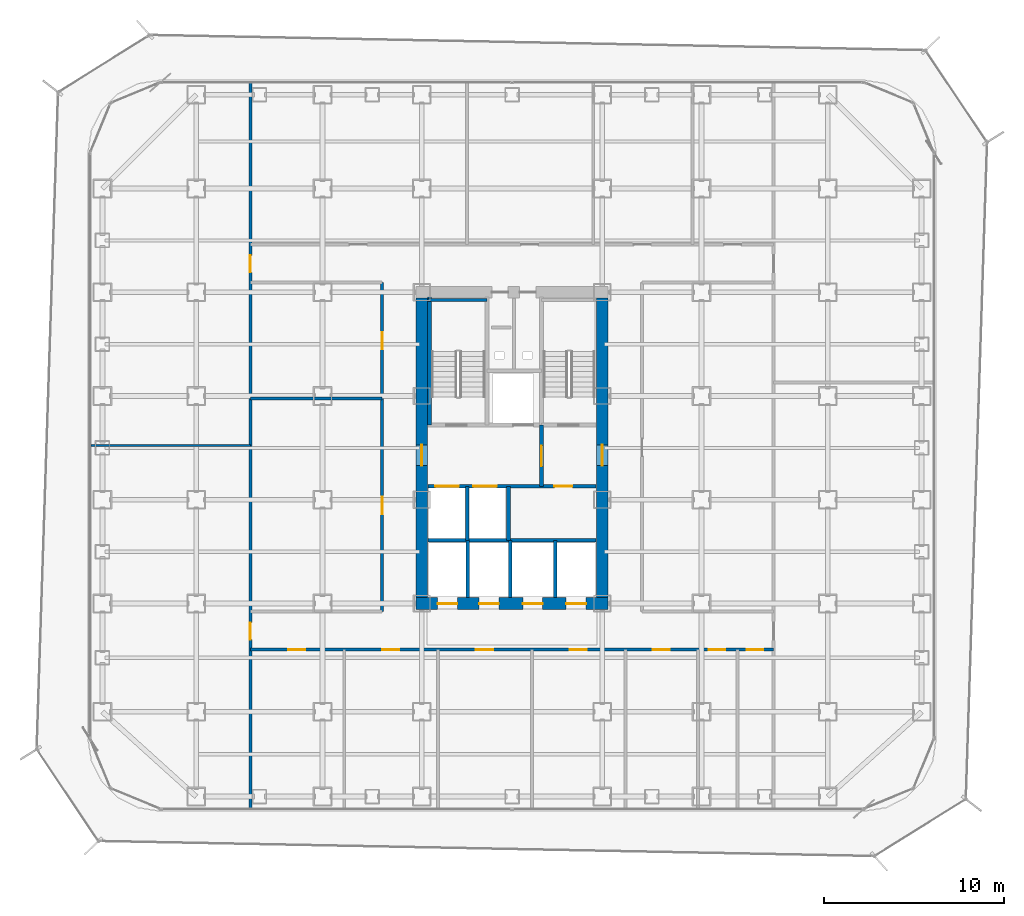
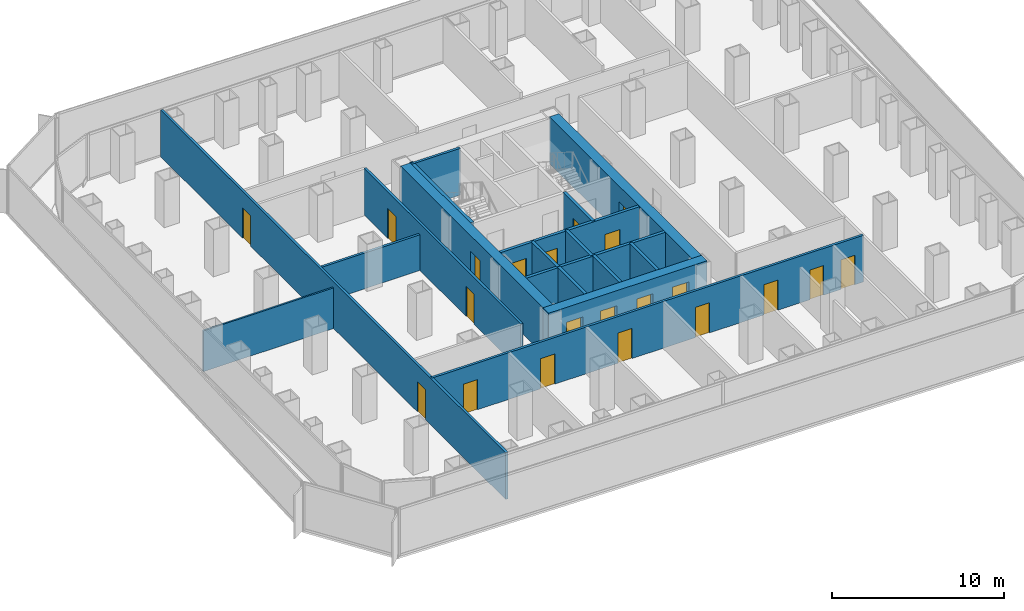
# One storey, part 17 of 22: 21 doors, 18 walls, 21 openings.
"""IFC4 building model written with IfcOpenShell, lengths in metres."""

from ifc_helpers import new_model, si_unit, direction, frame, frame_2d, origin, place, context, subcontext, project, spatial, rectangle, extrude, material, layer, layer_set, type_object, element, fill, save


model = new_model("IFC4")

# Units and contexts
model_context = context("Model", 3, precision=1e-05, world=origin(), true_north=direction((0.0, 1.0)))
body_context = subcontext(model_context, "Body", "Model", "MODEL_VIEW")
ifc_project = project(units=[si_unit("LENGTHUNIT", "METRE"), si_unit("AREAUNIT", "SQUARE_METRE"), si_unit("VOLUMEUNIT", "CUBIC_METRE"), si_unit("PLANEANGLEUNIT", "RADIAN"), si_unit("MASSUNIT", "GRAM", prefix="KILO")], contexts=[model_context])

# Site, building, storey
site_placement = place(None, origin())
site = spatial("IfcSite", under=ifc_project, at=site_placement, CompositionType="ELEMENT")
building_placement = place(site_placement, origin())
building = spatial("IfcBuilding", under=site, at=building_placement, Name="Kolveth Station Tower", CompositionType="ELEMENT")
storey_placement = place(building_placement, frame((0.0, 0.0, 51.300048828125)))
storey = spatial("IfcBuildingStorey", under=building, at=storey_placement, Name="L13", CompositionType="ELEMENT", Elevation=51.300048828125)

# Wall, openings, doors
ifc_material_1 = material(Name="Concrete C60/75", Category="concrete")
ifc_layer_1 = layer(ifc_material_1, 0.64990234375)
ifc_layer_set_1 = layer_set([ifc_layer_1], Name="Concrete C60/75")
wall_type_1 = type_object("IfcWallType", Name="Wall_CW-650", PredefinedType="SHEAR", material=ifc_layer_set_1)
wall_1_placement = place(storey_placement, frame((18.175048828125, 11.5, 0.0), z_axis=(0.0, 0.0, 1.0), x_axis=(1.0, 0.0, 0.0)))
wall_1 = element("IfcWall", 1, at=wall_1_placement, inside=storey, type_object=wall_type_1, Name="L13 Core RC Shear Wall S", PredefinedType="SHEAR", context=body_context, shape_type="SweptSolid", body=[
    extrude(rectangle(XDim=10.64990234375, YDim=0.64990234375, at=frame_2d((5.324951171875, 0.0))), origin(), (0.0, 0.0, 1.0), 3.320068359375),
])
opening_1_placement = place(wall_1_placement, frame((1.195068359375, 0.0, 0.0)))
opening_1 = element("IfcOpeningElement", 2, at=opening_1_placement, cuts=wall_1, Name="Opening LD1", PredefinedType="OPENING", context=body_context, shape_type="SweptSolid", body=[
    extrude(rectangle(XDim=1.10009765625, YDim=2.25, at=frame_2d((0.550048828125, 1.125))), frame((0.0, 0.3349609375, 0.0), z_axis=(0.0, -1.0, 0.0), x_axis=(1.0, 0.0, 0.0)), (0.0, 0.0, 1.0), 0.669921875),
])
opening_2_placement = place(wall_1_placement, frame((3.4951171875, 0.0, 0.0)))
opening_2 = element("IfcOpeningElement", 3, at=opening_2_placement, cuts=wall_1, Name="Opening LD1", PredefinedType="OPENING", context=body_context, shape_type="SweptSolid", body=[
    extrude(rectangle(XDim=1.10009765625, YDim=2.25, at=frame_2d((0.550048828125, 1.125))), frame((0.0, 0.3349609375, 0.0), z_axis=(0.0, -1.0, 0.0), x_axis=(1.0, 0.0, 0.0)), (0.0, 0.0, 1.0), 0.669921875),
])
opening_3_placement = place(wall_1_placement, frame((5.925048828125, 0.0, 0.0)))
opening_3 = element("IfcOpeningElement", 4, at=opening_3_placement, cuts=wall_1, Name="Opening LD1", PredefinedType="OPENING", context=body_context, shape_type="SweptSolid", body=[
    extrude(rectangle(XDim=1.10009765625, YDim=2.25, at=frame_2d((0.550048828125, 1.125))), frame((0.0, 0.3349609375, 0.0), z_axis=(0.0, -1.0, 0.0), x_axis=(1.0, 0.0, 0.0)), (0.0, 0.0, 1.0), 0.669921875),
])
opening_4_placement = place(wall_1_placement, frame((8.324951171875, 0.0, 0.0)))
opening_4 = element("IfcOpeningElement", 5, at=opening_4_placement, cuts=wall_1, Name="Opening LD1", PredefinedType="OPENING", context=body_context, shape_type="SweptSolid", body=[
    extrude(rectangle(XDim=1.10009765625, YDim=2.25, at=frame_2d((0.550048828125, 1.125))), frame((0.0, 0.3349609375, 0.0), z_axis=(0.0, -1.0, 0.0), x_axis=(1.0, 0.0, 0.0)), (0.0, 0.0, 1.0), 0.669921875),
])
ifc_material_2 = material(Name="Brushed stainless steel sliding landing doors", Category="steel")
door_type_1 = type_object("IfcDoorType", Name="Door_LD1", OperationType="NOTDEFINED", PredefinedType="DOOR", material=ifc_material_2)
door_1_placement = place(opening_1_placement, frame((1.10009765625, 0.0, 0.0), z_axis=(0.0, 0.0, 1.0), x_axis=(-1.0, 0.0, 0.0)))
door_1 = element("IfcDoor", 6, at=door_1_placement, inside=storey, type_object=door_type_1, Name="L13 Lift PL1 Landing Door", OperationType="DOUBLE_DOOR_SLIDING", OverallHeight=2.25, OverallWidth=1.10009765625, PredefinedType="DOOR", context=body_context, shape_type="SweptSolid", body=[
    extrude(rectangle(XDim=1.10009765625, YDim=2.25, at=frame_2d((0.550048828125, 1.125))), frame((0.0, 0.02490234375, 0.0), z_axis=(0.0, -1.0, 0.0), x_axis=(1.0, 0.0, 0.0)), (0.0, 0.0, 1.0), 0.050048828125),
])
fill(opening_1, door_1)
door_2_placement = place(opening_2_placement, frame((1.10009765625, 0.0, 0.0), z_axis=(0.0, 0.0, 1.0), x_axis=(-1.0, 0.0, 0.0)))
door_2 = element("IfcDoor", 7, at=door_2_placement, inside=storey, type_object=door_type_1, Name="L13 Lift PL2 Landing Door", OperationType="DOUBLE_DOOR_SLIDING", OverallHeight=2.25, OverallWidth=1.10009765625, PredefinedType="DOOR", context=body_context, shape_type="SweptSolid", body=[
    extrude(rectangle(XDim=1.10009765625, YDim=2.25, at=frame_2d((0.550048828125, 1.125))), frame((0.0, 0.02490234375, 0.0), z_axis=(0.0, -1.0, 0.0), x_axis=(1.0, 0.0, 0.0)), (0.0, 0.0, 1.0), 0.050048828125),
])
fill(opening_2, door_2)
door_3_placement = place(opening_3_placement, frame((1.10009765625, 0.0, 0.0), z_axis=(0.0, 0.0, 1.0), x_axis=(-1.0, 0.0, 0.0)))
door_3 = element("IfcDoor", 8, at=door_3_placement, inside=storey, type_object=door_type_1, Name="L13 Lift PM1 Landing Door", OperationType="DOUBLE_DOOR_SLIDING", OverallHeight=2.25, OverallWidth=1.10009765625, PredefinedType="DOOR", context=body_context, shape_type="SweptSolid", body=[
    extrude(rectangle(XDim=1.10009765625, YDim=2.25, at=frame_2d((0.550048828125, 1.125))), frame((0.0, 0.02490234375, 0.0), z_axis=(0.0, -1.0, 0.0), x_axis=(1.0, 0.0, 0.0)), (0.0, 0.0, 1.0), 0.050048828125),
])
fill(opening_3, door_3)
door_4_placement = place(opening_4_placement, frame((1.10009765625, 0.0, 0.0), z_axis=(0.0, 0.0, 1.0), x_axis=(-1.0, 0.0, 0.0)))
door_4 = element("IfcDoor", 9, at=door_4_placement, inside=storey, type_object=door_type_1, Name="L13 Lift PH1 Landing Door", OperationType="DOUBLE_DOOR_SLIDING", OverallHeight=2.25, OverallWidth=1.10009765625, PredefinedType="DOOR", context=body_context, shape_type="SweptSolid", body=[
    extrude(rectangle(XDim=1.10009765625, YDim=2.25, at=frame_2d((0.550048828125, 1.125))), frame((0.0, 0.02490234375, 0.0), z_axis=(0.0, -1.0, 0.0), x_axis=(1.0, 0.0, 0.0)), (0.0, 0.0, 1.0), 0.050048828125),
])
fill(opening_4, door_4)

# Wall, opening, door
wall_2_placement = place(storey_placement, frame((18.5, 11.824951171875, 0.0), z_axis=(0.0, 0.0, 1.0), x_axis=(0.0, 1.0, 0.0)))
wall_2 = element("IfcWall", 10, at=wall_2_placement, inside=storey, type_object=wall_type_1, Name="L13 Core RC Shear Wall W", PredefinedType="SHEAR", context=body_context, shape_type="SweptSolid", body=[
    extrude(rectangle(XDim=16.60009765625, YDim=0.64990234375, at=frame_2d((8.300048828125, 0.0))), origin(), (0.0, 0.0, 1.0), 3.320068359375),
])
opening_5_placement = place(wall_2_placement, frame((7.324951171875, 0.0, 0.0)))
opening_5 = element("IfcOpeningElement", 11, at=opening_5_placement, cuts=wall_2, Name="Opening FD1", PredefinedType="OPENING", context=body_context, shape_type="SweptSolid", body=[
    extrude(rectangle(XDim=1.14990234375, YDim=2.199951171875, at=frame_2d((0.574951171875, 1.10009765625))), frame((0.0, 0.3349609375, 0.0), z_axis=(0.0, -1.0, 0.0), x_axis=(1.0, 0.0, 0.0)), (0.0, 0.0, 1.0), 0.669921875),
])
ifc_material_3 = material(Name="Fire-rated Steel S355 leaf and frame", Category="steel")
door_type_2 = type_object("IfcDoorType", Name="Door_FD1", OperationType="NOTDEFINED", PredefinedType="DOOR", material=ifc_material_3)
door_5_placement = place(opening_5_placement, frame((1.14990234375, 0.0, 0.0), z_axis=(0.0, 0.0, 1.0), x_axis=(-1.0, 0.0, 0.0)))
door_5 = element("IfcDoor", 12, at=door_5_placement, inside=storey, type_object=door_type_2, Name="L13 West Corridor to Firefighting Lobby Door", OperationType="SINGLE_SWING_LEFT", OverallHeight=2.199951171875, OverallWidth=1.14990234375, PredefinedType="DOOR", context=body_context, shape_type="SweptSolid", body=[
    extrude(rectangle(XDim=1.14990234375, YDim=2.199951171875, at=frame_2d((0.574951171875, 1.10009765625))), frame((0.0, 0.02490234375, 0.0), z_axis=(0.0, -1.0, 0.0), x_axis=(1.0, 0.0, 0.0)), (0.0, 0.0, 1.0), 0.050048828125),
])
fill(opening_5, door_5)

wall_3_placement = place(storey_placement, frame((28.5, 11.824951171875, 0.0), z_axis=(0.0, 0.0, 1.0), x_axis=(0.0, 1.0, 0.0)))
wall_3 = element("IfcWall", 13, at=wall_3_placement, inside=storey, type_object=wall_type_1, Name="L13 Core RC Shear Wall E", PredefinedType="SHEAR", context=body_context, shape_type="SweptSolid", body=[
    extrude(rectangle(XDim=16.60009765625, YDim=0.64990234375, at=frame_2d((8.300048828125, 0.0))), origin(), (0.0, 0.0, 1.0), 3.320068359375),
])
opening_6_placement = place(wall_3_placement, frame((7.324951171875, 0.0, 0.0)))
opening_6 = element("IfcOpeningElement", 14, at=opening_6_placement, cuts=wall_3, Name="Opening FD1", PredefinedType="OPENING", context=body_context, shape_type="SweptSolid", body=[
    extrude(rectangle(XDim=1.14990234375, YDim=2.199951171875, at=frame_2d((0.574951171875, 1.10009765625))), frame((0.0, 0.3349609375, 0.0), z_axis=(0.0, -1.0, 0.0), x_axis=(1.0, 0.0, 0.0)), (0.0, 0.0, 1.0), 0.669921875),
])
door_6_placement = place(opening_6_placement, origin())
door_6 = element("IfcDoor", 15, at=door_6_placement, inside=storey, type_object=door_type_2, Name="L13 East Corridor to Stair Lobby Door", OperationType="SINGLE_SWING_RIGHT", OverallHeight=2.199951171875, OverallWidth=1.14990234375, PredefinedType="DOOR", context=body_context, shape_type="SweptSolid", body=[
    extrude(rectangle(XDim=1.14990234375, YDim=2.199951171875, at=frame_2d((0.574951171875, 1.10009765625))), frame((0.0, 0.02490234375, 0.0), z_axis=(0.0, -1.0, 0.0), x_axis=(1.0, 0.0, 0.0)), (0.0, 0.0, 1.0), 0.050048828125),
])
fill(opening_6, door_6)

# Walls
ifc_material_4 = material(Name="Framed gypsum partition")
ifc_layer_2 = layer(ifc_material_4, 0.114990234375)
ifc_layer_set_2 = layer_set([ifc_layer_2], Name="Framed gypsum partition")
wall_type_2 = type_object("IfcWallType", Name="Wall_IW-115", PredefinedType="PARTITIONING", material=ifc_layer_set_2)
wall_4_placement = place(storey_placement, frame((0.159912109375, 20.25, 0.0), z_axis=(0.0, 0.0, 1.0), x_axis=(1.0, 0.0, 0.0)))
element("IfcWall", 16, at=wall_4_placement, inside=storey, type_object=wall_type_2, Name="L13 Partition Wall WL-L13-OWM", PredefinedType="PARTITIONING", context=body_context, shape_type="SweptSolid", body=[
    extrude(rectangle(XDim=8.840087890625, YDim=0.114990234375, at=frame_2d((4.419921875, 0.0))), origin(), (0.0, 0.0, 1.0), 2.89794921875),
])
ifc_material_5 = material(Name="Acoustic double-stud gypsum partition")
ifc_layer_3 = layer(ifc_material_5, 0.1650390625)
ifc_layer_set_3 = layer_set([ifc_layer_3], Name="Acoustic double-stud gypsum partition")
wall_type_3 = type_object("IfcWallType", Name="Wall_IW-165", PredefinedType="PARTITIONING", material=ifc_layer_set_3)
wall_5_placement = place(storey_placement, frame((18.8349609375, 28.3349609375, 0.0), z_axis=(0.0, 0.0, 1.0), x_axis=(1.0, 0.0, 0.0)))
element("IfcWall", 17, at=wall_5_placement, inside=storey, type_object=wall_type_3, Name="L13 Stair Shaft Wall WL-L13-ST1-N", PredefinedType="PARTITIONING", context=body_context, shape_type="SweptSolid", body=[
    extrude(rectangle(XDim=3.275146484375, YDim=0.1650390625, at=frame_2d((1.6376953125, 0.0))), origin(), (0.0, 0.0, 1.0), 3.320068359375),
])

# Wall, openings, doors
wall_6_placement = place(storey_placement, frame((9.0, 8.949951171875, 0.0), z_axis=(0.0, 0.0, 1.0), x_axis=(1.0, 0.0, 0.0)))
wall_6 = element("IfcWall", 18, at=wall_6_placement, inside=storey, type_object=wall_type_3, Name="L13 Partition Wall WL-L13-OS", PredefinedType="PARTITIONING", context=body_context, shape_type="SweptSolid", body=[
    extrude(rectangle(XDim=29.0, YDim=0.1650390625, at=frame_2d((14.5, 0.0))), origin(), (0.0, 0.0, 1.0), 3.320068359375),
])
opening_7_placement = place(wall_6_placement, frame((2.10009765625, 0.0, 0.0)))
opening_7 = element("IfcOpeningElement", 19, at=opening_7_placement, cuts=wall_6, Name="Opening ID1", PredefinedType="OPENING", context=body_context, shape_type="SweptSolid", body=[
    extrude(rectangle(XDim=0.949951171875, YDim=2.14990234375, at=frame_2d((0.47509765625, 1.074951171875))), frame((0.0, 0.092529296875, 0.0), z_axis=(0.0, -1.0, 0.0), x_axis=(1.0, 0.0, 0.0)), (0.0, 0.0, 1.0), 0.18505859375),
])
opening_8_placement = place(wall_6_placement, frame((7.300048828125, 0.0, 0.0)))
opening_8 = element("IfcOpeningElement", 20, at=opening_8_placement, cuts=wall_6, Name="Opening ID1", PredefinedType="OPENING", context=body_context, shape_type="SweptSolid", body=[
    extrude(rectangle(XDim=0.949951171875, YDim=2.14990234375, at=frame_2d((0.47509765625, 1.074951171875))), frame((0.0, 0.092529296875, 0.0), z_axis=(0.0, -1.0, 0.0), x_axis=(1.0, 0.0, 0.0)), (0.0, 0.0, 1.0), 0.18505859375),
])
opening_9_placement = place(wall_6_placement, frame((12.5, 0.0, 0.0)))
opening_9 = element("IfcOpeningElement", 21, at=opening_9_placement, cuts=wall_6, Name="Opening ID1", PredefinedType="OPENING", context=body_context, shape_type="SweptSolid", body=[
    extrude(rectangle(XDim=0.949951171875, YDim=2.14990234375, at=frame_2d((0.47509765625, 1.074951171875))), frame((0.0, 0.092529296875, 0.0), z_axis=(0.0, -1.0, 0.0), x_axis=(1.0, 0.0, 0.0)), (0.0, 0.0, 1.0), 0.18505859375),
])
opening_10_placement = place(wall_6_placement, frame((17.699951171875, 0.0, 0.0)))
opening_10 = element("IfcOpeningElement", 22, at=opening_10_placement, cuts=wall_6, Name="Opening ID1", PredefinedType="OPENING", context=body_context, shape_type="SweptSolid", body=[
    extrude(rectangle(XDim=0.949951171875, YDim=2.14990234375, at=frame_2d((0.47509765625, 1.074951171875))), frame((0.0, 0.092529296875, 0.0), z_axis=(0.0, -1.0, 0.0), x_axis=(1.0, 0.0, 0.0)), (0.0, 0.0, 1.0), 0.18505859375),
])
opening_11_placement = place(wall_6_placement, frame((22.300048828125, 0.0, 0.0)))
opening_11 = element("IfcOpeningElement", 23, at=opening_11_placement, cuts=wall_6, Name="Opening ID1", PredefinedType="OPENING", context=body_context, shape_type="SweptSolid", body=[
    extrude(rectangle(XDim=0.949951171875, YDim=2.14990234375, at=frame_2d((0.47509765625, 1.074951171875))), frame((0.0, 0.092529296875, 0.0), z_axis=(0.0, -1.0, 0.0), x_axis=(1.0, 0.0, 0.0)), (0.0, 0.0, 1.0), 0.18505859375),
])
opening_12_placement = place(wall_6_placement, frame((25.39990234375, 0.0, 0.0)))
opening_12 = element("IfcOpeningElement", 24, at=opening_12_placement, cuts=wall_6, Name="Opening ID2", PredefinedType="OPENING", context=body_context, shape_type="SweptSolid", body=[
    extrude(rectangle(XDim=0.919921875, YDim=2.10009765625, at=frame_2d((0.4599609375, 1.050048828125))), frame((0.0, 0.092529296875, 0.0), z_axis=(0.0, -1.0, 0.0), x_axis=(1.0, 0.0, 0.0)), (0.0, 0.0, 1.0), 0.18505859375),
])
opening_13_placement = place(wall_6_placement, frame((27.5, 0.0, 0.0)))
opening_13 = element("IfcOpeningElement", 25, at=opening_13_placement, cuts=wall_6, Name="Opening ID2", PredefinedType="OPENING", context=body_context, shape_type="SweptSolid", body=[
    extrude(rectangle(XDim=0.919921875, YDim=2.10009765625, at=frame_2d((0.4599609375, 1.050048828125))), frame((0.0, 0.092529296875, 0.0), z_axis=(0.0, -1.0, 0.0), x_axis=(1.0, 0.0, 0.0)), (0.0, 0.0, 1.0), 0.18505859375),
])
ifc_material_6 = material(Name="Acoustic hardwood leaf and aluminium frame", Category="wood")
door_type_3 = type_object("IfcDoorType", Name="Door_ID1", OperationType="NOTDEFINED", PredefinedType="DOOR", material=ifc_material_6)
door_7_placement = place(opening_7_placement, frame((0.949951171875, 0.0, 0.0), z_axis=(0.0, 0.0, 1.0), x_axis=(-1.0, 0.0, 0.0)))
door_7 = element("IfcDoor", 26, at=door_7_placement, inside=storey, type_object=door_type_3, Name="L13 Cellular Office 1 Door", OperationType="SINGLE_SWING_LEFT", OverallHeight=2.14990234375, OverallWidth=0.949951171875, PredefinedType="DOOR", context=body_context, shape_type="SweptSolid", body=[
    extrude(rectangle(XDim=0.949951171875, YDim=2.14990234375, at=frame_2d((0.47509765625, 1.074951171875))), frame((0.0, 0.02490234375, 0.0), z_axis=(0.0, -1.0, 0.0), x_axis=(1.0, 0.0, 0.0)), (0.0, 0.0, 1.0), 0.050048828125),
])
fill(opening_7, door_7)
door_8_placement = place(opening_8_placement, frame((0.949951171875, 0.0, 0.0), z_axis=(0.0, 0.0, 1.0), x_axis=(-1.0, 0.0, 0.0)))
door_8 = element("IfcDoor", 27, at=door_8_placement, inside=storey, type_object=door_type_3, Name="L13 Cellular Office 2 Door", OperationType="SINGLE_SWING_RIGHT", OverallHeight=2.14990234375, OverallWidth=0.949951171875, PredefinedType="DOOR", context=body_context, shape_type="SweptSolid", body=[
    extrude(rectangle(XDim=0.949951171875, YDim=2.14990234375, at=frame_2d((0.47509765625, 1.074951171875))), frame((0.0, 0.02490234375, 0.0), z_axis=(0.0, -1.0, 0.0), x_axis=(1.0, 0.0, 0.0)), (0.0, 0.0, 1.0), 0.050048828125),
])
fill(opening_8, door_8)
door_9_placement = place(opening_9_placement, frame((0.949951171875, 0.0, 0.0), z_axis=(0.0, 0.0, 1.0), x_axis=(-1.0, 0.0, 0.0)))
door_9 = element("IfcDoor", 28, at=door_9_placement, inside=storey, type_object=door_type_3, Name="L13 Meeting Room 1 Door", OperationType="SINGLE_SWING_LEFT", OverallHeight=2.14990234375, OverallWidth=0.949951171875, PredefinedType="DOOR", context=body_context, shape_type="SweptSolid", body=[
    extrude(rectangle(XDim=0.949951171875, YDim=2.14990234375, at=frame_2d((0.47509765625, 1.074951171875))), frame((0.0, 0.02490234375, 0.0), z_axis=(0.0, -1.0, 0.0), x_axis=(1.0, 0.0, 0.0)), (0.0, 0.0, 1.0), 0.050048828125),
])
fill(opening_9, door_9)
door_10_placement = place(opening_10_placement, frame((0.949951171875, 0.0, 0.0), z_axis=(0.0, 0.0, 1.0), x_axis=(-1.0, 0.0, 0.0)))
door_10 = element("IfcDoor", 29, at=door_10_placement, inside=storey, type_object=door_type_3, Name="L13 Meeting Room 2 Door", OperationType="SINGLE_SWING_RIGHT", OverallHeight=2.14990234375, OverallWidth=0.949951171875, PredefinedType="DOOR", context=body_context, shape_type="SweptSolid", body=[
    extrude(rectangle(XDim=0.949951171875, YDim=2.14990234375, at=frame_2d((0.47509765625, 1.074951171875))), frame((0.0, 0.02490234375, 0.0), z_axis=(0.0, -1.0, 0.0), x_axis=(1.0, 0.0, 0.0)), (0.0, 0.0, 1.0), 0.050048828125),
])
fill(opening_10, door_10)
door_11_placement = place(opening_11_placement, frame((0.949951171875, 0.0, 0.0), z_axis=(0.0, 0.0, 1.0), x_axis=(-1.0, 0.0, 0.0)))
door_11 = element("IfcDoor", 30, at=door_11_placement, inside=storey, type_object=door_type_3, Name="L13 Meeting Room 3 Door", OperationType="SINGLE_SWING_LEFT", OverallHeight=2.14990234375, OverallWidth=0.949951171875, PredefinedType="DOOR", context=body_context, shape_type="SweptSolid", body=[
    extrude(rectangle(XDim=0.949951171875, YDim=2.14990234375, at=frame_2d((0.47509765625, 1.074951171875))), frame((0.0, 0.02490234375, 0.0), z_axis=(0.0, -1.0, 0.0), x_axis=(1.0, 0.0, 0.0)), (0.0, 0.0, 1.0), 0.050048828125),
])
fill(opening_11, door_11)
ifc_material_7 = material(Name="Moisture-resistant hardwood leaf", Category="wood")
door_type_4 = type_object("IfcDoorType", Name="Door_ID2", OperationType="NOTDEFINED", PredefinedType="DOOR", material=ifc_material_7)
door_12_placement = place(opening_12_placement, frame((0.919921875, 0.0, 0.0), z_axis=(0.0, 0.0, 1.0), x_axis=(-1.0, 0.0, 0.0)))
door_12 = element("IfcDoor", 31, at=door_12_placement, inside=storey, type_object=door_type_4, Name="L13 Staff WC Door", OperationType="SINGLE_SWING_LEFT", OverallHeight=2.10009765625, OverallWidth=0.919921875, PredefinedType="DOOR", context=body_context, shape_type="SweptSolid", body=[
    extrude(rectangle(XDim=0.919921875, YDim=2.10009765625, at=frame_2d((0.4599609375, 1.050048828125))), frame((0.0, 0.02490234375, 0.0), z_axis=(0.0, -1.0, 0.0), x_axis=(1.0, 0.0, 0.0)), (0.0, 0.0, 1.0), 0.050048828125),
])
fill(opening_12, door_12)
door_13_placement = place(opening_13_placement, frame((0.919921875, 0.0, 0.0), z_axis=(0.0, 0.0, 1.0), x_axis=(-1.0, 0.0, 0.0)))
door_13 = element("IfcDoor", 32, at=door_13_placement, inside=storey, type_object=door_type_4, Name="L13 Accessible WC Door", OperationType="SINGLE_SWING_LEFT", OverallHeight=2.10009765625, OverallWidth=0.919921875, PredefinedType="DOOR", context=body_context, shape_type="SweptSolid", body=[
    extrude(rectangle(XDim=0.919921875, YDim=2.10009765625, at=frame_2d((0.4599609375, 1.050048828125))), frame((0.0, 0.02490234375, 0.0), z_axis=(0.0, -1.0, 0.0), x_axis=(1.0, 0.0, 0.0)), (0.0, 0.0, 1.0), 0.050048828125),
])
fill(opening_13, door_13)

wall_7_placement = place(storey_placement, frame((16.300048828125, 11.050048828125, 0.0), z_axis=(0.0, 0.0, 1.0), x_axis=(0.0, 1.0, 0.0)))
wall_7 = element("IfcWall", 33, at=wall_7_placement, inside=storey, type_object=wall_type_3, Name="L13 Partition Wall WL-L13-OCW", PredefinedType="PARTITIONING", context=body_context, shape_type="SweptSolid", body=[
    extrude(rectangle(XDim=18.25, YDim=0.1650390625, at=frame_2d((9.125, 0.0))), origin(), (0.0, 0.0, 1.0), 3.320068359375),
])
opening_14_placement = place(wall_7_placement, frame((5.408935546875, 0.0, 0.0)))
opening_14 = element("IfcOpeningElement", 34, at=opening_14_placement, cuts=wall_7, Name="Opening ID1", PredefinedType="OPENING", context=body_context, shape_type="SweptSolid", body=[
    extrude(rectangle(XDim=0.949951171875, YDim=2.14990234375, at=frame_2d((0.47509765625, 1.074951171875))), frame((0.0, 0.092529296875, 0.0), z_axis=(0.0, -1.0, 0.0), x_axis=(1.0, 0.0, 0.0)), (0.0, 0.0, 1.0), 0.18505859375),
])
opening_15_placement = place(wall_7_placement, frame((14.533935546875, 0.0, 0.0)))
opening_15 = element("IfcOpeningElement", 35, at=opening_15_placement, cuts=wall_7, Name="Opening ID1", PredefinedType="OPENING", context=body_context, shape_type="SweptSolid", body=[
    extrude(rectangle(XDim=0.949951171875, YDim=2.14990234375, at=frame_2d((0.47509765625, 1.074951171875))), frame((0.0, 0.092529296875, 0.0), z_axis=(0.0, -1.0, 0.0), x_axis=(1.0, 0.0, 0.0)), (0.0, 0.0, 1.0), 0.18505859375),
])
door_14_placement = place(opening_14_placement, frame((0.949951171875, 0.0, 0.0), z_axis=(0.0, 0.0, 1.0), x_axis=(-1.0, 0.0, 0.0)))
door_14 = element("IfcDoor", 36, at=door_14_placement, inside=storey, type_object=door_type_3, Name="L13 Internal Meeting Room W1 Door", OperationType="SINGLE_SWING_LEFT", OverallHeight=2.14990234375, OverallWidth=0.949951171875, PredefinedType="DOOR", context=body_context, shape_type="SweptSolid", body=[
    extrude(rectangle(XDim=0.949951171875, YDim=2.14990234375, at=frame_2d((0.47509765625, 1.074951171875))), frame((0.0, 0.02490234375, 0.0), z_axis=(0.0, -1.0, 0.0), x_axis=(1.0, 0.0, 0.0)), (0.0, 0.0, 1.0), 0.050048828125),
])
fill(opening_14, door_14)
door_15_placement = place(opening_15_placement, frame((0.949951171875, 0.0, 0.0), z_axis=(0.0, 0.0, 1.0), x_axis=(-1.0, 0.0, 0.0)))
door_15 = element("IfcDoor", 37, at=door_15_placement, inside=storey, type_object=door_type_3, Name="L13 Print and Archive Room Door", OperationType="SINGLE_SWING_LEFT", OverallHeight=2.14990234375, OverallWidth=0.949951171875, PredefinedType="DOOR", context=body_context, shape_type="SweptSolid", body=[
    extrude(rectangle(XDim=0.949951171875, YDim=2.14990234375, at=frame_2d((0.47509765625, 1.074951171875))), frame((0.0, 0.02490234375, 0.0), z_axis=(0.0, -1.0, 0.0), x_axis=(1.0, 0.0, 0.0)), (0.0, 0.0, 1.0), 0.050048828125),
])
fill(opening_15, door_15)

wall_8_placement = place(storey_placement, frame((9.0, 0.159912109375, 0.0), z_axis=(0.0, 0.0, 1.0), x_axis=(0.0, 1.0, 0.0)))
wall_8 = element("IfcWall", 38, at=wall_8_placement, inside=storey, type_object=wall_type_3, Name="L13 Partition Wall WL-L13-OWEND", PredefinedType="PARTITIONING", context=body_context, shape_type="SweptSolid", body=[
    extrude(rectangle(XDim=40.18017578125, YDim=0.1650390625, at=frame_2d((20.090087890625, 0.0))), origin(), (0.0, 0.0, 1.0), 3.320068359375),
])
opening_16_placement = place(wall_8_placement, frame((9.340087890625, 0.0, 0.0)))
opening_16 = element("IfcOpeningElement", 39, at=opening_16_placement, cuts=wall_8, Name="Opening ID1", PredefinedType="OPENING", context=body_context, shape_type="SweptSolid", body=[
    extrude(rectangle(XDim=0.949951171875, YDim=2.14990234375, at=frame_2d((0.47509765625, 1.074951171875))), frame((0.0, 0.092529296875, 0.0), z_axis=(0.0, -1.0, 0.0), x_axis=(1.0, 0.0, 0.0)), (0.0, 0.0, 1.0), 0.18505859375),
])
opening_17_placement = place(wall_8_placement, frame((29.68994140625, 0.0, 0.0)))
opening_17 = element("IfcOpeningElement", 40, at=opening_17_placement, cuts=wall_8, Name="Opening ID1", PredefinedType="OPENING", context=body_context, shape_type="SweptSolid", body=[
    extrude(rectangle(XDim=0.949951171875, YDim=2.14990234375, at=frame_2d((0.47509765625, 1.074951171875))), frame((0.0, 0.092529296875, 0.0), z_axis=(0.0, -1.0, 0.0), x_axis=(1.0, 0.0, 0.0)), (0.0, 0.0, 1.0), 0.18505859375),
])
door_16_placement = place(opening_16_placement, frame((0.949951171875, 0.0, 0.0), z_axis=(0.0, 0.0, 1.0), x_axis=(-1.0, 0.0, 0.0)))
door_16 = element("IfcDoor", 41, at=door_16_placement, inside=storey, type_object=door_type_3, Name="L13 West-South Wing Door", OperationType="SINGLE_SWING_RIGHT", OverallHeight=2.14990234375, OverallWidth=0.949951171875, PredefinedType="DOOR", context=body_context, shape_type="SweptSolid", body=[
    extrude(rectangle(XDim=0.949951171875, YDim=2.14990234375, at=frame_2d((0.47509765625, 1.074951171875))), frame((0.0, 0.02490234375, 0.0), z_axis=(0.0, -1.0, 0.0), x_axis=(1.0, 0.0, 0.0)), (0.0, 0.0, 1.0), 0.050048828125),
])
fill(opening_16, door_16)
door_17_placement = place(opening_17_placement, frame((0.949951171875, 0.0, 0.0), z_axis=(0.0, 0.0, 1.0), x_axis=(-1.0, 0.0, 0.0)))
door_17 = element("IfcDoor", 42, at=door_17_placement, inside=storey, type_object=door_type_3, Name="L13 West-North Wing Door", OperationType="SINGLE_SWING_LEFT", OverallHeight=2.14990234375, OverallWidth=0.949951171875, PredefinedType="DOOR", context=body_context, shape_type="SweptSolid", body=[
    extrude(rectangle(XDim=0.949951171875, YDim=2.14990234375, at=frame_2d((0.47509765625, 1.074951171875))), frame((0.0, 0.02490234375, 0.0), z_axis=(0.0, -1.0, 0.0), x_axis=(1.0, 0.0, 0.0)), (0.0, 0.0, 1.0), 0.050048828125),
])
fill(opening_17, door_17)

# Wall
wall_9_placement = place(storey_placement, frame((9.0, 22.868896484375, 0.0), z_axis=(0.0, 0.0, 1.0), x_axis=(1.0, 0.0, 0.0)))
element("IfcWall", 43, at=wall_9_placement, inside=storey, type_object=wall_type_3, Name="L13 Partition Wall WL-L13-OIW-P1", PredefinedType="PARTITIONING", context=body_context, shape_type="SweptSolid", body=[
    extrude(rectangle(XDim=7.300048828125, YDim=0.1650390625, at=frame_2d((3.64990234375, 0.0))), origin(), (0.0, 0.0, 1.0), 2.5390625),
])

# Wall, opening, door
ifc_material_8 = material(Name="Acoustic fire-rated gypsum blockwork", Category="masonry")
ifc_layer_4 = layer(ifc_material_8, 0.199951171875)
ifc_layer_set_4 = layer_set([ifc_layer_4], Name="Acoustic fire-rated gypsum blockwork")
wall_type_4 = type_object("IfcWallType", Name="Wall_IW-200", PredefinedType="PARTITIONING", material=ifc_layer_set_4)
wall_10_placement = place(storey_placement, frame((25.1298828125, 18.0, 0.0), z_axis=(0.0, 0.0, 1.0), x_axis=(0.0, 1.0, 0.0)))
wall_10 = element("IfcWall", 44, at=wall_10_placement, inside=storey, type_object=wall_type_4, Name="L13 Partition Wall WL-L13-FFL-E", PredefinedType="PARTITIONING", context=body_context, shape_type="SweptSolid", body=[
    extrude(rectangle(XDim=3.389892578125, YDim=0.199951171875, at=frame_2d((1.69482421875, 0.0))), origin(), (0.0, 0.0, 1.0), 3.320068359375),
])
opening_18_placement = place(wall_10_placement, frame((1.10009765625, 0.0, 0.0)))
opening_18 = element("IfcOpeningElement", 45, at=opening_18_placement, cuts=wall_10, Name="Opening FD1", PredefinedType="OPENING", context=body_context, shape_type="SweptSolid", body=[
    extrude(rectangle(XDim=1.14990234375, YDim=2.199951171875, at=frame_2d((0.574951171875, 1.10009765625))), frame((0.0, 0.10986328125, 0.0), z_axis=(0.0, -1.0, 0.0), x_axis=(1.0, 0.0, 0.0)), (0.0, 0.0, 1.0), 0.219970703125),
])
door_18_placement = place(opening_18_placement, origin())
door_18 = element("IfcDoor", 46, at=door_18_placement, inside=storey, type_object=door_type_2, Name="L13 Firefighting to Stair Lobby Door", OperationType="SINGLE_SWING_LEFT", OverallHeight=2.199951171875, OverallWidth=1.14990234375, PredefinedType="DOOR", context=body_context, shape_type="SweptSolid", body=[
    extrude(rectangle(XDim=1.14990234375, YDim=2.199951171875, at=frame_2d((0.574951171875, 1.10009765625))), frame((0.0, 0.02490234375, 0.0), z_axis=(0.0, -1.0, 0.0), x_axis=(1.0, 0.0, 0.0)), (0.0, 0.0, 1.0), 0.050048828125),
])
fill(opening_18, door_18)

# Wall, openings, doors
wall_11_placement = place(storey_placement, frame((18.8349609375, 18.0, 0.0), z_axis=(0.0, 0.0, 1.0), x_axis=(1.0, 0.0, 0.0)))
wall_11 = element("IfcWall", 47, at=wall_11_placement, inside=storey, type_object=wall_type_4, Name="L13 Partition Wall WL-L13-FFL-S", PredefinedType="PARTITIONING", context=body_context, shape_type="SweptSolid", body=[
    extrude(rectangle(XDim=9.330078125, YDim=0.199951171875, at=frame_2d((4.6650390625, 0.0))), origin(), (0.0, 0.0, 1.0), 3.320068359375),
])
opening_19_placement = place(wall_11_placement, frame((0.4150390625, 0.0, 0.0)))
opening_19 = element("IfcOpeningElement", 48, at=opening_19_placement, cuts=wall_11, Name="Opening LD2", PredefinedType="OPENING", context=body_context, shape_type="SweptSolid", body=[
    extrude(rectangle(XDim=1.300048828125, YDim=2.300048828125, at=frame_2d((0.64990234375, 1.14990234375))), frame((0.0, 0.10986328125, 0.0), z_axis=(0.0, -1.0, 0.0), x_axis=(1.0, 0.0, 0.0)), (0.0, 0.0, 1.0), 0.219970703125),
])
opening_20_placement = place(wall_11_placement, frame((2.514892578125, 0.0, 0.0)))
opening_20 = element("IfcOpeningElement", 49, at=opening_20_placement, cuts=wall_11, Name="Opening LD2", PredefinedType="OPENING", context=body_context, shape_type="SweptSolid", body=[
    extrude(rectangle(XDim=1.300048828125, YDim=2.300048828125, at=frame_2d((0.64990234375, 1.14990234375))), frame((0.0, 0.10986328125, 0.0), z_axis=(0.0, -1.0, 0.0), x_axis=(1.0, 0.0, 0.0)), (0.0, 0.0, 1.0), 0.219970703125),
])
opening_21_placement = place(wall_11_placement, frame((7.014892578125, 0.0, 0.0)))
opening_21 = element("IfcOpeningElement", 50, at=opening_21_placement, cuts=wall_11, Name="Opening FD3", PredefinedType="OPENING", context=body_context, shape_type="SweptSolid", body=[
    extrude(rectangle(XDim=1.0, YDim=2.14990234375, at=frame_2d((0.5, 1.074951171875))), frame((0.0, 0.10986328125, 0.0), z_axis=(0.0, -1.0, 0.0), x_axis=(1.0, 0.0, 0.0)), (0.0, 0.0, 1.0), 0.219970703125),
])
ifc_material_9 = material(Name="Fire-rated hardwood leaf and aluminium frame", Category="wood")
door_type_5 = type_object("IfcDoorType", Name="Door_FD3", OperationType="NOTDEFINED", PredefinedType="DOOR", material=ifc_material_9)
door_19_placement = place(opening_21_placement, frame((1.0, 0.0, 0.0), z_axis=(0.0, 0.0, 1.0), x_axis=(-1.0, 0.0, 0.0)))
door_19 = element("IfcDoor", 51, at=door_19_placement, inside=storey, type_object=door_type_5, Name="L13 Core Staff Pantry Door", OperationType="SINGLE_SWING_LEFT", OverallHeight=2.14990234375, OverallWidth=1.0, PredefinedType="DOOR", context=body_context, shape_type="SweptSolid", body=[
    extrude(rectangle(XDim=1.0, YDim=2.14990234375, at=frame_2d((0.5, 1.074951171875))), frame((0.0, 0.02490234375, 0.0), z_axis=(0.0, -1.0, 0.0), x_axis=(1.0, 0.0, 0.0)), (0.0, 0.0, 1.0), 0.050048828125),
])
fill(opening_21, door_19)
ifc_material_10 = material(Name="Firefighting stainless steel sliding landing doors", Category="steel")
door_type_6 = type_object("IfcDoorType", Name="Door_LD2", OperationType="NOTDEFINED", PredefinedType="DOOR", material=ifc_material_10)
door_20_placement = place(opening_19_placement, origin())
door_20 = element("IfcDoor", 52, at=door_20_placement, inside=storey, type_object=door_type_6, Name="L13 Firefighting Lift FF1 Landing Door", OperationType="DOUBLE_DOOR_SLIDING", OverallHeight=2.300048828125, OverallWidth=1.300048828125, PredefinedType="DOOR", context=body_context, shape_type="SweptSolid", body=[
    extrude(rectangle(XDim=1.300048828125, YDim=2.300048828125, at=frame_2d((0.64990234375, 1.14990234375))), frame((0.0, 0.02490234375, 0.0), z_axis=(0.0, -1.0, 0.0), x_axis=(1.0, 0.0, 0.0)), (0.0, 0.0, 1.0), 0.050048828125),
])
fill(opening_19, door_20)
door_21_placement = place(opening_20_placement, origin())
door_21 = element("IfcDoor", 53, at=door_21_placement, inside=storey, type_object=door_type_6, Name="L13 Firefighting Lift FF2 Landing Door", OperationType="DOUBLE_DOOR_SLIDING", OverallHeight=2.300048828125, OverallWidth=1.300048828125, PredefinedType="DOOR", context=body_context, shape_type="SweptSolid", body=[
    extrude(rectangle(XDim=1.300048828125, YDim=2.300048828125, at=frame_2d((0.64990234375, 1.14990234375))), frame((0.0, 0.02490234375, 0.0), z_axis=(0.0, -1.0, 0.0), x_axis=(1.0, 0.0, 0.0)), (0.0, 0.0, 1.0), 0.050048828125),
])
fill(opening_20, door_21)

# Walls
for number, where, z_axis, x_axis, name in (
    (54, (21.02001953125, 15.0, 0.0), (0.0, 0.0, 1.0), (0.0, 1.0, 0.0), "L13 Partition Wall WL-L13-FF12"),
    (55, (23.300048828125, 15.0, 0.0), (0.0, 0.0, 1.0), (0.0, 1.0, 0.0), "L13 Partition Wall WL-L13-FF2E"),
):
    element("IfcWall", number, at=place(storey_placement, frame(where, z_axis=z_axis, x_axis=x_axis)), inside=storey, type_object=wall_type_4, Name=name, PredefinedType="PARTITIONING", context=body_context, shape_type="SweptSolid", body=[
        extrude(rectangle(XDim=3.0, YDim=0.199951171875, at=frame_2d((1.5, 0.0))), origin(), (0.0, 0.0, 1.0), 3.320068359375),
    ])
wall_12_placement = place(storey_placement, frame((18.8349609375, 15.0, 0.0), z_axis=(0.0, 0.0, 1.0), x_axis=(1.0, 0.0, 0.0)))
element("IfcWall", 56, at=wall_12_placement, inside=storey, type_object=wall_type_4, Name="L13 Partition Wall WL-L13-BOH-S", PredefinedType="PARTITIONING", context=body_context, shape_type="SweptSolid", body=[
    extrude(rectangle(XDim=9.330078125, YDim=0.199951171875, at=frame_2d((4.6650390625, 0.0))), origin(), (0.0, 0.0, 1.0), 3.320068359375),
])
for number, where, z_axis, x_axis, name in (
    (57, (21.050048828125, 11.8349609375, 0.0), (0.0, 0.0, 1.0), (0.0, 1.0, 0.0), "L13 Partition Wall WL-L13-PL12"),
    (58, (23.39990234375, 11.8349609375, 0.0), (0.0, 0.0, 1.0), (0.0, 1.0, 0.0), "L13 Partition Wall WL-L13-PL2E"),
    (59, (25.89990234375, 11.8349609375, 0.0), (0.0, 0.0, 1.0), (0.0, 1.0, 0.0), "L13 Partition Wall WL-L13-PMPH"),
):
    element("IfcWall", number, at=place(storey_placement, frame(where, z_axis=z_axis, x_axis=x_axis)), inside=storey, type_object=wall_type_4, Name=name, PredefinedType="PARTITIONING", context=body_context, shape_type="SweptSolid", body=[
        extrude(rectangle(XDim=3.1650390625, YDim=0.199951171875, at=frame_2d((1.58251953125, 0.0))), origin(), (0.0, 0.0, 1.0), 3.320068359375),
    ])
ifc_material_11 = material(Name="Concrete C40/50", Category="concrete")
ifc_layer_5 = layer(ifc_material_11, 0.219970703125)
ifc_layer_set_5 = layer_set([ifc_layer_5], Name="Concrete C40/50")
wall_type_5 = type_object("IfcWallType", Name="Wall_IW-220", PredefinedType="SOLIDWALL", material=ifc_layer_set_5)
wall_13_placement = place(storey_placement, frame((18.929931640625, 21.389892578125, 0.0), z_axis=(0.0, 0.0, 1.0), x_axis=(0.0, 1.0, 0.0)))
element("IfcWall", 60, at=wall_13_placement, inside=storey, type_object=wall_type_5, Name="L13 Stair Shaft Wall WL-L13-ST1-W", PredefinedType="SOLIDWALL", context=body_context, shape_type="SweptSolid", body=[
    extrude(rectangle(XDim=7.110107421875, YDim=0.219970703125, at=frame_2d((3.55517578125, 0.0))), origin(), (0.0, 0.0, 1.0), 3.320068359375),
])

save(model, "model.ifc")
